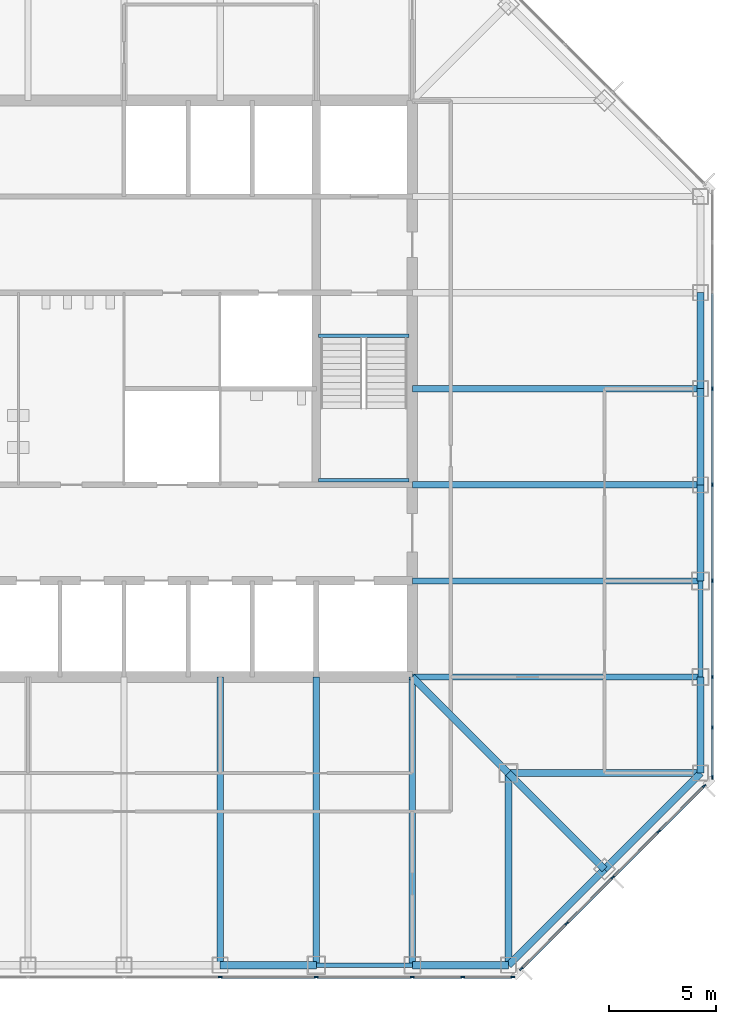
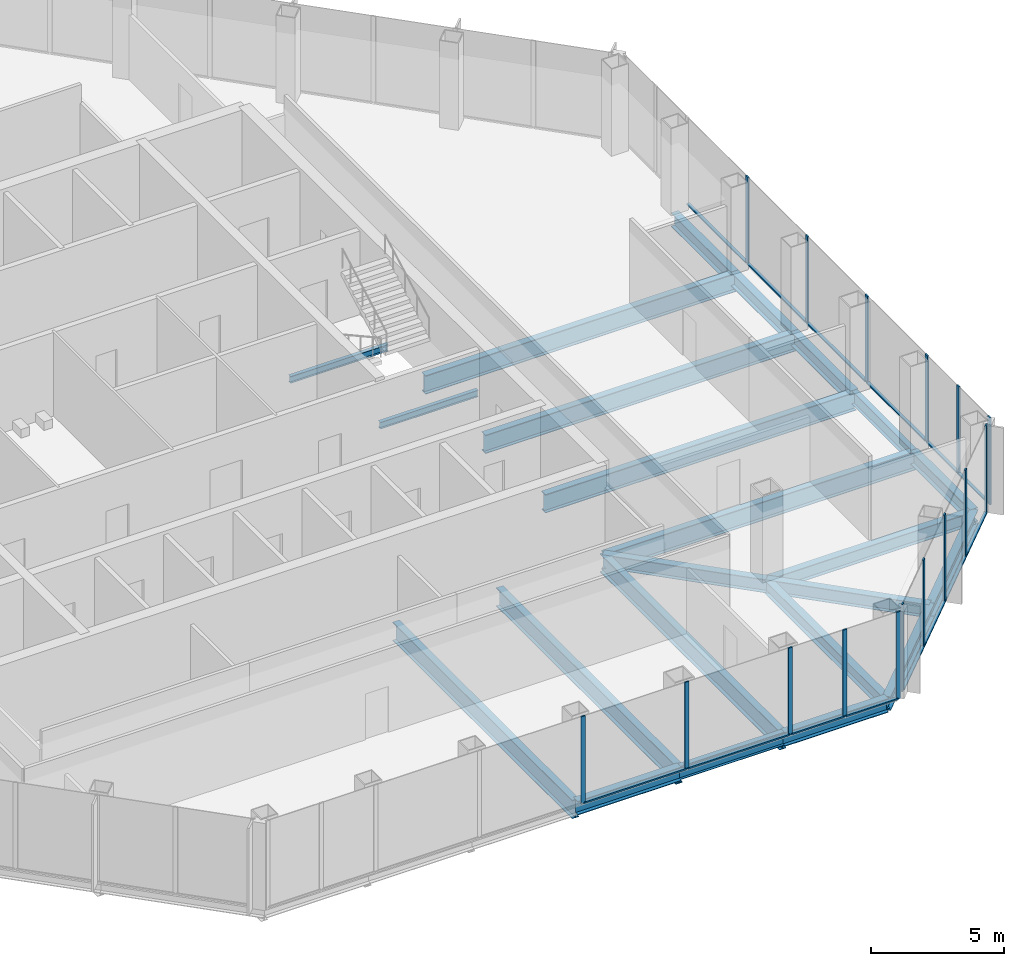
# One storey, part 4 of 12: 30 members, 23 beams, 3 elements without a shape of their own.
"""IFC4 building model written with IfcOpenShell, lengths in metres."""

from ifc_helpers import new_model, si_unit, direction, frame, origin, origin_2d, place, context, subcontext, project, spatial, rectangle, i_section, extrude, material, material_profile, profile_set, type_object, element, aggregate, save


model = new_model("IFC4")

# Units and contexts
model_context = context("Model", 3, precision=1e-05, world=origin(), true_north=direction((0.0, 1.0)))
body_context = subcontext(model_context, "Body", "Model", "MODEL_VIEW")
ifc_project = project(units=[si_unit("LENGTHUNIT", "METRE"), si_unit("AREAUNIT", "SQUARE_METRE"), si_unit("VOLUMEUNIT", "CUBIC_METRE"), si_unit("PLANEANGLEUNIT", "RADIAN"), si_unit("MASSUNIT", "GRAM", prefix="KILO")], contexts=[model_context])

# Site, building, storey
site_placement = place(None, origin())
site = spatial("IfcSite", under=ifc_project, at=site_placement, CompositionType="ELEMENT")
building_placement = place(site_placement, origin())
building = spatial("IfcBuilding", under=site, at=building_placement, Name="Corais Broadcast Tower", CompositionType="ELEMENT")
storey_placement = place(building_placement, frame((0.0, 0.0, 139.60009765625)))
storey = spatial("IfcBuildingStorey", under=building, at=storey_placement, Name="L31", CompositionType="ELEMENT", Elevation=139.60009765625)

# Beams
ifc_material_1 = material(Name="Steel ASTM A572 Grade 50", Category="steel")
ifc_material_profile_1 = material_profile(ifc_material_1, i_section(OverallWidth=0.323974609375, OverallDepth=0.611083984375, WebThickness=0.0126953125, FlangeThickness=0.01904296875, at=origin_2d()), Name="W610x155")
ifc_profile_set_1 = profile_set([ifc_material_profile_1], Name="Steel ASTM A572 Grade 50")
beam_type_1 = type_object("IfcBeamType", Name="Chamfer tie W610x155", PredefinedType="BEAM", material=ifc_profile_set_1)
beam_1_placement = place(storey_placement, frame((49.5, 4.5, -0.465576171875), z_axis=(-0.707106781187, 0.707106781187, 0.0), x_axis=(-0.707106781187, -0.707106781187, 0.0)))
element("IfcBeam", 1, at=beam_1_placement, inside=storey, type_object=beam_type_1, Name="B5 B/14 to C/13", PredefinedType="BEAM", context=body_context, shape_type="SweptSolid", body=[
    extrude(i_section(OverallWidth=0.323974609375, OverallDepth=0.611083984375, WebThickness=0.0126953125, FlangeThickness=0.01904296875, at=origin_2d()), origin(), (0.0, 0.0, 1.0), 6.364013671875),
])
ifc_material_2 = material(Name="Steel ASTM A572 Grade 50", Category="steel")
ifc_material_profile_2 = material_profile(ifc_material_2, i_section(OverallWidth=0.323974609375, OverallDepth=0.611083984375, WebThickness=0.0126953125, FlangeThickness=0.01904296875, at=origin_2d()), Name="W610x155")
ifc_profile_set_2 = profile_set([ifc_material_profile_2], Name="Steel ASTM A572 Grade 50")
beam_type_2 = type_object("IfcBeamType", Name="Corner diagonal W610x155", PredefinedType="BEAM", material=ifc_profile_set_2)
beam_2_placement = place(storey_placement, frame((45.0, 9.0, -0.465576171875), z_axis=(-0.707106781187, 0.707106781187, 0.0), x_axis=(-0.707106781187, -0.707106781187, 0.0)))
element("IfcBeam", 2, at=beam_2_placement, inside=storey, type_object=beam_type_2, Name="B6 C/13 to D/12", PredefinedType="BEAM", context=body_context, shape_type="SweptSolid", body=[
    extrude(i_section(OverallWidth=0.323974609375, OverallDepth=0.611083984375, WebThickness=0.0126953125, FlangeThickness=0.01904296875, at=origin_2d()), origin(), (0.0, 0.0, 1.0), 6.364013671875),
])
ifc_material_3 = material(Name="Steel ASTM A572 Grade 50", Category="steel")
ifc_material_profile_3 = material_profile(ifc_material_3, i_section(OverallWidth=0.323974609375, OverallDepth=0.611083984375, WebThickness=0.0126953125, FlangeThickness=0.01904296875, at=origin_2d()), Name="W610x155")
ifc_profile_set_3 = profile_set([ifc_material_profile_3], Name="Steel ASTM A572 Grade 50")
beam_type_3 = type_object("IfcBeamType", Name="Corner girder W610x155", PredefinedType="BEAM", material=ifc_profile_set_3)
for number, where, z_axis, x_axis, name in (
    (3, (45.0, 0.0, -0.465576171875), (0.0, 1.0, 0.0), (-1.0, 0.0, 0.0), "B4 A/13 to C/13"),
    (4, (54.0, 9.0, -0.465576171875), (-1.0, 0.0, 0.0), (0.0, -1.0, 0.0), "B4 C/15 to C/13"),
):
    element("IfcBeam", number, at=place(storey_placement, frame(where, z_axis=z_axis, x_axis=x_axis)), inside=storey, type_object=beam_type_3, Name=name, PredefinedType="BEAM", context=body_context, shape_type="SweptSolid", body=[
        extrude(i_section(OverallWidth=0.323974609375, OverallDepth=0.611083984375, WebThickness=0.0126953125, FlangeThickness=0.01904296875, at=origin_2d()), origin(), (0.0, 0.0, 1.0), 9.0),
    ])
ifc_material_4 = material(Name="Steel ASTM A572 Grade 50", Category="steel")
ifc_material_profile_4 = material_profile(ifc_material_4, i_section(OverallWidth=0.2939453125, OverallDepth=0.85107421875, WebThickness=0.01611328125, FlangeThickness=0.02685546875, at=origin_2d()), Name="W840x226")
ifc_profile_set_4 = profile_set([ifc_material_profile_4], Name="Steel ASTM A572 Grade 50")
beam_type_4 = type_object("IfcBeamType", Name="Floor beam W840x226", PredefinedType="BEAM", material=ifc_profile_set_4)
for number, where, z_axis, x_axis, name in (
    (5, (31.5, 0.0, -0.585693359375), (0.0, 1.0, 0.0), (-1.0, 0.0, 0.0), "B1 A/10 to D/10"),
    (6, (36.0, 0.0, -0.585693359375), (0.0, 1.0, 0.0), (-1.0, 0.0, 0.0), "B1 A/11 to D/11"),
    (7, (40.5, 0.0, -0.585693359375), (0.0, 1.0, 0.0), (-1.0, 0.0, 0.0), "B1 A/12 to D/12"),
    (8, (54.0, 13.5, -0.585693359375), (-1.0, 0.0, 0.0), (0.0, -1.0, 0.0), "B1 D/15 to D/12"),
    (9, (54.0, 18.0, -0.585693359375), (-1.0, 0.0, 0.0), (0.0, -1.0, 0.0), "B1 E/15 to E/12"),
    (10, (54.0, 22.5, -0.585693359375), (-1.0, 0.0, 0.0), (0.0, -1.0, 0.0), "B1 F/15 to F/12"),
    (11, (54.0, 27.0, -0.585693359375), (-1.0, 0.0, 0.0), (0.0, -1.0, 0.0), "B1 G/15 to G/12"),
):
    element("IfcBeam", number, at=place(storey_placement, frame(where, z_axis=z_axis, x_axis=x_axis)), inside=storey, type_object=beam_type_4, Name=name, PredefinedType="BEAM", context=body_context, shape_type="SweptSolid", body=[
        extrude(i_section(OverallWidth=0.2939453125, OverallDepth=0.85107421875, WebThickness=0.01611328125, FlangeThickness=0.02685546875, at=origin_2d()), origin(), (0.0, 0.0, 1.0), 13.5),
    ])
ifc_material_5 = material(Name="Steel ASTM A572 Grade 50", Category="steel")
ifc_material_profile_5 = material_profile(ifc_material_5, i_section(OverallWidth=0.1650390625, OverallDepth=0.31005859375, WebThickness=0.005859375, FlangeThickness=0.009765625, at=origin_2d()), Name="W310x38.7")
ifc_profile_set_5 = profile_set([ifc_material_profile_5], Name="Steel ASTM A572 Grade 50")
beam_type_5 = type_object("IfcBeamType", Name="Landing trimmer W310x38.7", PredefinedType="BEAM", material=ifc_profile_set_5)
for number, where, z_axis, x_axis, name in (
    (12, (36.10009765625, 29.47509765625, -0.35498046875), (1.0, 0.0, 0.0), (0.0, 1.0, 0.0), "LT1 stair B landing trimmer L31"),
    (13, (36.10009765625, 22.715087890625, 1.64501953125), (1.0, 0.0, 0.0), (0.0, 1.0, 0.0), "LT1 stair B half landing trimmer L31"),
):
    element("IfcBeam", number, at=place(storey_placement, frame(where, z_axis=z_axis, x_axis=x_axis)), inside=storey, type_object=beam_type_5, Name=name, PredefinedType="BEAM", context=body_context, shape_type="SweptSolid", body=[
        extrude(i_section(OverallWidth=0.1650390625, OverallDepth=0.31005859375, WebThickness=0.005859375, FlangeThickness=0.009765625, at=origin_2d()), origin(), (0.0, 0.0, 1.0), 4.25),
    ])

# Curtain wall, members
ifc_material_6 = material(Name="Aluminium and glass", Category="aluminium")
curtain_wall_type = type_object("IfcCurtainWallType", Name="Unitised fritted curtain wall CW2", PredefinedType="NOTDEFINED", material=ifc_material_6)
curtain_wall_1_placement = place(storey_placement, origin())
curtain_wall_1 = element("IfcCurtainWall", 14, at=curtain_wall_1_placement, inside=storey, type_object=curtain_wall_type, Name="CW2 curtain wall L31 6", PredefinedType="NOTDEFINED")
ifc_material_7 = material(Name="Aluminium 6063-T6", Category="aluminium")
ifc_material_profile_6 = material_profile(ifc_material_7, rectangle(XDim=0.06494140625, YDim=0.179931640625, at=origin_2d()), Name="Mullion CW2 65x180")
ifc_profile_set_6 = profile_set([ifc_material_profile_6], Name="Aluminium 6063-T6")
member_type_1 = type_object("IfcMemberType", Name="Mullion CW2 65x180", PredefinedType="MULLION", material=ifc_profile_set_6)
member_1_placement = place(storey_placement, frame((54.550048828125, 27.0, 0.0), z_axis=(0.0, 0.0, 1.0), x_axis=(1.0, 0.0, 0.0)))
member_1 = element("IfcMember", 15, at=member_1_placement, type_object=member_type_1, Name="CW2 mullion 4", PredefinedType="MULLION", context=body_context, shape_type="SweptSolid", body=[
    extrude(rectangle(XDim=0.06494140625, YDim=0.179931640625, at=origin_2d()), origin(), (0.0, 0.0, 1.0), 4.0),
])
member_2_placement = place(storey_placement, frame((54.550048828125, 22.5, 0.0), z_axis=(0.0, 0.0, 1.0), x_axis=(1.0, 0.0, 0.0)))
member_2 = element("IfcMember", 16, at=member_2_placement, type_object=member_type_1, Name="CW2 mullion 5", PredefinedType="MULLION", context=body_context, shape_type="SweptSolid", body=[
    extrude(rectangle(XDim=0.06494140625, YDim=0.179931640625, at=origin_2d()), origin(), (0.0, 0.0, 1.0), 4.0),
])
member_3_placement = place(storey_placement, frame((54.550048828125, 18.0, 0.0), z_axis=(0.0, 0.0, 1.0), x_axis=(1.0, 0.0, 0.0)))
member_3 = element("IfcMember", 17, at=member_3_placement, type_object=member_type_1, Name="CW2 mullion 6", PredefinedType="MULLION", context=body_context, shape_type="SweptSolid", body=[
    extrude(rectangle(XDim=0.06494140625, YDim=0.179931640625, at=origin_2d()), origin(), (0.0, 0.0, 1.0), 4.0),
])
member_4_placement = place(storey_placement, frame((54.550048828125, 13.5, 0.0), z_axis=(0.0, 0.0, 1.0), x_axis=(1.0, 0.0, 0.0)))
member_4 = element("IfcMember", 18, at=member_4_placement, type_object=member_type_1, Name="CW2 mullion 7", PredefinedType="MULLION", context=body_context, shape_type="SweptSolid", body=[
    extrude(rectangle(XDim=0.06494140625, YDim=0.179931640625, at=origin_2d()), origin(), (0.0, 0.0, 1.0), 4.0),
])
member_5_placement = place(storey_placement, frame((54.550048828125, 11.135986328125, 0.0), z_axis=(0.0, 0.0, 1.0), x_axis=(1.0, 0.0, 0.0)))
member_5 = element("IfcMember", 19, at=member_5_placement, type_object=member_type_1, Name="CW2 mullion 8", PredefinedType="MULLION", context=body_context, shape_type="SweptSolid", body=[
    extrude(rectangle(XDim=0.06494140625, YDim=0.179931640625, at=origin_2d()), origin(), (0.0, 0.0, 1.0), 4.0),
])
member_6_placement = place(storey_placement, frame((54.550048828125, 8.8046875, 0.0), z_axis=(0.0, 0.0, 1.0), x_axis=(1.0, 0.0, 0.0)))
member_6 = element("IfcMember", 20, at=member_6_placement, type_object=member_type_1, Name="CW2 mullion 9", PredefinedType="MULLION", context=body_context, shape_type="SweptSolid", body=[
    extrude(rectangle(XDim=0.06494140625, YDim=0.179931640625, at=origin_2d()), origin(), (0.0, 0.0, 1.0), 4.0),
])

curtain_wall_2_placement = place(storey_placement, origin())
curtain_wall_2 = element("IfcCurtainWall", 21, at=curtain_wall_2_placement, inside=storey, type_object=curtain_wall_type, Name="CW2 curtain wall L31 7", PredefinedType="NOTDEFINED")
member_7_placement = place(storey_placement, frame((54.17333984375, 8.3955078125, 0.0), z_axis=(0.0, 0.0, 1.0), x_axis=(0.707106781187, -0.707106781187, 0.0)))
member_7 = element("IfcMember", 22, at=member_7_placement, type_object=member_type_1, Name="CW2 mullion 1", PredefinedType="MULLION", context=body_context, shape_type="SweptSolid", body=[
    extrude(rectangle(XDim=0.06494140625, YDim=0.179931640625, at=origin_2d()), origin(), (0.0, 0.0, 1.0), 4.0),
])
member_8_placement = place(storey_placement, frame((52.042724609375, 6.264892578125, 0.0), z_axis=(0.0, 0.0, 1.0), x_axis=(0.707106781187, -0.707106781187, 0.0)))
member_8 = element("IfcMember", 23, at=member_8_placement, type_object=member_type_1, Name="CW2 mullion 2", PredefinedType="MULLION", context=body_context, shape_type="SweptSolid", body=[
    extrude(rectangle(XDim=0.06494140625, YDim=0.179931640625, at=origin_2d()), origin(), (0.0, 0.0, 1.0), 4.0),
])
member_9_placement = place(storey_placement, frame((49.888916015625, 4.111083984375, 0.0), z_axis=(0.0, 0.0, 1.0), x_axis=(0.707106781187, -0.707106781187, 0.0)))
member_9 = element("IfcMember", 24, at=member_9_placement, type_object=member_type_1, Name="CW2 mullion 3", PredefinedType="MULLION", context=body_context, shape_type="SweptSolid", body=[
    extrude(rectangle(XDim=0.06494140625, YDim=0.179931640625, at=origin_2d()), origin(), (0.0, 0.0, 1.0), 4.0),
])
member_10_placement = place(storey_placement, frame((47.735107421875, 1.957275390625, 0.0), z_axis=(0.0, 0.0, 1.0), x_axis=(0.707106781187, -0.707106781187, 0.0)))
member_10 = element("IfcMember", 25, at=member_10_placement, type_object=member_type_1, Name="CW2 mullion 4", PredefinedType="MULLION", context=body_context, shape_type="SweptSolid", body=[
    extrude(rectangle(XDim=0.06494140625, YDim=0.179931640625, at=origin_2d()), origin(), (0.0, 0.0, 1.0), 4.0),
])
member_11_placement = place(storey_placement, frame((45.6044921875, -0.17333984375, 0.0), z_axis=(0.0, 0.0, 1.0), x_axis=(0.707106781187, -0.707106781187, 0.0)))
member_11 = element("IfcMember", 26, at=member_11_placement, type_object=member_type_1, Name="CW2 mullion 5", PredefinedType="MULLION", context=body_context, shape_type="SweptSolid", body=[
    extrude(rectangle(XDim=0.06494140625, YDim=0.179931640625, at=origin_2d()), origin(), (0.0, 0.0, 1.0), 4.0),
])

curtain_wall_3_placement = place(storey_placement, origin())
curtain_wall_3 = element("IfcCurtainWall", 27, at=curtain_wall_3_placement, inside=storey, type_object=curtain_wall_type, Name="CW2 curtain wall L31 8", PredefinedType="NOTDEFINED")
member_12_placement = place(storey_placement, frame((45.1953125, -0.550048828125, 0.0), z_axis=(0.0, 0.0, 1.0), x_axis=(0.0, -1.0, 0.0)))
member_12 = element("IfcMember", 28, at=member_12_placement, type_object=member_type_1, Name="CW2 mullion 1", PredefinedType="MULLION", context=body_context, shape_type="SweptSolid", body=[
    extrude(rectangle(XDim=0.06494140625, YDim=0.179931640625, at=origin_2d()), origin(), (0.0, 0.0, 1.0), 4.0),
])
member_13_placement = place(storey_placement, frame((42.864013671875, -0.550048828125, 0.0), z_axis=(0.0, 0.0, 1.0), x_axis=(0.0, -1.0, 0.0)))
member_13 = element("IfcMember", 29, at=member_13_placement, type_object=member_type_1, Name="CW2 mullion 2", PredefinedType="MULLION", context=body_context, shape_type="SweptSolid", body=[
    extrude(rectangle(XDim=0.06494140625, YDim=0.179931640625, at=origin_2d()), origin(), (0.0, 0.0, 1.0), 4.0),
])
member_14_placement = place(storey_placement, frame((40.5, -0.550048828125, 0.0), z_axis=(0.0, 0.0, 1.0), x_axis=(0.0, -1.0, 0.0)))
member_14 = element("IfcMember", 30, at=member_14_placement, type_object=member_type_1, Name="CW2 mullion 3", PredefinedType="MULLION", context=body_context, shape_type="SweptSolid", body=[
    extrude(rectangle(XDim=0.06494140625, YDim=0.179931640625, at=origin_2d()), origin(), (0.0, 0.0, 1.0), 4.0),
])
member_15_placement = place(storey_placement, frame((36.0, -0.550048828125, 0.0), z_axis=(0.0, 0.0, 1.0), x_axis=(0.0, -1.0, 0.0)))
member_15 = element("IfcMember", 31, at=member_15_placement, type_object=member_type_1, Name="CW2 mullion 4", PredefinedType="MULLION", context=body_context, shape_type="SweptSolid", body=[
    extrude(rectangle(XDim=0.06494140625, YDim=0.179931640625, at=origin_2d()), origin(), (0.0, 0.0, 1.0), 4.0),
])
member_16_placement = place(storey_placement, frame((31.5, -0.550048828125, 0.0), z_axis=(0.0, 0.0, 1.0), x_axis=(0.0, -1.0, 0.0)))
member_16 = element("IfcMember", 32, at=member_16_placement, type_object=member_type_1, Name="CW2 mullion 5", PredefinedType="MULLION", context=body_context, shape_type="SweptSolid", body=[
    extrude(rectangle(XDim=0.06494140625, YDim=0.179931640625, at=origin_2d()), origin(), (0.0, 0.0, 1.0), 4.0),
])

# Beams
ifc_material_8 = material(Name="Steel ASTM A572 Grade 50", Category="steel")
ifc_material_profile_7 = material_profile(ifc_material_8, i_section(OverallWidth=0.22900390625, OverallDepth=0.612060546875, WebThickness=0.011962890625, FlangeThickness=0.01953125, at=origin_2d()), Name="W610x125")
ifc_profile_set_7 = profile_set([ifc_material_profile_7], Name="Steel ASTM A572 Grade 50")
beam_type_6 = type_object("IfcBeamType", Name="Pinned spandrel W610x125", PredefinedType="BEAM", material=ifc_profile_set_7)
for number, where, z_axis, x_axis, name in (
    (33, (36.0, 0.0, -0.466064453125), (1.0, 0.0, 0.0), (0.0, 1.0, 0.0), "SB7 A/11 to A/12"),
    (34, (54.0, 13.5, -0.466064453125), (0.0, 1.0, 0.0), (-1.0, 0.0, 0.0), "SB7 D/15 to E/15"),
):
    element("IfcBeam", number, at=place(storey_placement, frame(where, z_axis=z_axis, x_axis=x_axis)), inside=storey, type_object=beam_type_6, Name=name, PredefinedType="BEAM", context=body_context, shape_type="SweptSolid", body=[
        extrude(i_section(OverallWidth=0.22900390625, OverallDepth=0.612060546875, WebThickness=0.011962890625, FlangeThickness=0.01953125, at=origin_2d()), origin(), (0.0, 0.0, 1.0), 4.5),
    ])
ifc_material_9 = material(Name="Steel ASTM A572 Grade 50", Category="steel")
ifc_material_profile_8 = material_profile(ifc_material_9, i_section(OverallWidth=0.3291015625, OverallDepth=0.635009765625, WebThickness=0.017822265625, FlangeThickness=0.031005859375, at=origin_2d()), Name="W610x241")
ifc_profile_set_8 = profile_set([ifc_material_profile_8], Name="Steel ASTM A572 Grade 50")
beam_type_7 = type_object("IfcBeamType", Name="Spandrel W610x241", PredefinedType="BEAM", material=ifc_profile_set_8)
for number, where, z_axis, x_axis, name in (
    (35, (31.5, 0.0, -0.4775390625), (1.0, 0.0, 0.0), (0.0, 1.0, 0.0), "SB1 A/10 to A/11"),
    (36, (40.5, 0.0, -0.4775390625), (1.0, 0.0, 0.0), (0.0, 1.0, 0.0), "SB1 A/12 to A/13"),
):
    element("IfcBeam", number, at=place(storey_placement, frame(where, z_axis=z_axis, x_axis=x_axis)), inside=storey, type_object=beam_type_7, Name=name, PredefinedType="BEAM", context=body_context, shape_type="SweptSolid", body=[
        extrude(i_section(OverallWidth=0.3291015625, OverallDepth=0.635009765625, WebThickness=0.017822265625, FlangeThickness=0.031005859375, at=origin_2d()), origin(), (0.0, 0.0, 1.0), 4.5),
    ])
for number, where, z_axis, x_axis, name in (
    (37, (45.0, 0.0, -0.4775390625), (0.707106781187, 0.707106781187, 0.0), (-0.707106781187, 0.707106781187, 0.0), "SB1 A/13 to B/14"),
    (38, (49.5, 4.5, -0.4775390625), (0.707106781187, 0.707106781187, 0.0), (-0.707106781187, 0.707106781187, 0.0), "SB1 B/14 to C/15"),
):
    element("IfcBeam", number, at=place(storey_placement, frame(where, z_axis=z_axis, x_axis=x_axis)), inside=storey, type_object=beam_type_7, Name=name, PredefinedType="BEAM", context=body_context, shape_type="SweptSolid", body=[
        extrude(i_section(OverallWidth=0.3291015625, OverallDepth=0.635009765625, WebThickness=0.017822265625, FlangeThickness=0.031005859375, at=origin_2d()), origin(), (0.0, 0.0, 1.0), 6.364013671875),
    ])
for number, where, z_axis, x_axis, name in (
    (39, (54.0, 18.0, -0.4775390625), (0.0, 1.0, 0.0), (-1.0, 0.0, 0.0), "SB1 E/15 to F/15"),
    (40, (54.0, 22.5, -0.4775390625), (0.0, 1.0, 0.0), (-1.0, 0.0, 0.0), "SB1 F/15 to G/15"),
    (41, (54.0, 27.0, -0.4775390625), (0.0, 1.0, 0.0), (-1.0, 0.0, 0.0), "SB1 G/15 to H/15"),
    (42, (54.0, 9.0, -0.4775390625), (0.0, 1.0, 0.0), (-1.0, 0.0, 0.0), "SB1 C/15 to D/15"),
):
    element("IfcBeam", number, at=place(storey_placement, frame(where, z_axis=z_axis, x_axis=x_axis)), inside=storey, type_object=beam_type_7, Name=name, PredefinedType="BEAM", context=body_context, shape_type="SweptSolid", body=[
        extrude(i_section(OverallWidth=0.3291015625, OverallDepth=0.635009765625, WebThickness=0.017822265625, FlangeThickness=0.031005859375, at=origin_2d()), origin(), (0.0, 0.0, 1.0), 4.5),
    ])

# Member
ifc_material_10 = material(Name="Aluminium 6063-T6", Category="aluminium")
ifc_material_profile_9 = material_profile(ifc_material_10, rectangle(XDim=0.1298828125, YDim=0.06494140625, at=origin_2d()), Name="Transom CW2 65x130")
ifc_profile_set_9 = profile_set([ifc_material_profile_9], Name="Aluminium 6063-T6")
member_type_2 = type_object("IfcMemberType", Name="Transom CW2 65x130", PredefinedType="USERDEFINED", material=ifc_profile_set_9)
member_17_placement = place(storey_placement, frame((54.550048828125, 31.467529296875, 0.032470703125), z_axis=(0.0, -1.0, 0.0), x_axis=(1.0, 0.0, 0.0)))
member_17 = element("IfcMember", 43, at=member_17_placement, type_object=member_type_2, Name="CW2 transom 3.1", ObjectType="TRANSOM", PredefinedType="USERDEFINED", context=body_context, shape_type="SweptSolid", body=[
    extrude(rectangle(XDim=0.1298828125, YDim=0.06494140625, at=origin_2d()), origin(), (0.0, 0.0, 1.0), 4.43505859375),
])

member_18_placement = place(storey_placement, frame((54.550048828125, 26.967529296875, 0.032470703125), z_axis=(0.0, -1.0, 0.0), x_axis=(1.0, 0.0, 0.0)))
member_18 = element("IfcMember", 44, at=member_18_placement, type_object=member_type_2, Name="CW2 transom 4.1", ObjectType="TRANSOM", PredefinedType="USERDEFINED", context=body_context, shape_type="SweptSolid", body=[
    extrude(rectangle(XDim=0.1298828125, YDim=0.06494140625, at=origin_2d()), origin(), (0.0, 0.0, 1.0), 4.43505859375),
])

member_19_placement = place(storey_placement, frame((54.550048828125, 22.467529296875, 0.032470703125), z_axis=(0.0, -1.0, 0.0), x_axis=(1.0, 0.0, 0.0)))
member_19 = element("IfcMember", 45, at=member_19_placement, type_object=member_type_2, Name="CW2 transom 5.1", ObjectType="TRANSOM", PredefinedType="USERDEFINED", context=body_context, shape_type="SweptSolid", body=[
    extrude(rectangle(XDim=0.1298828125, YDim=0.06494140625, at=origin_2d()), origin(), (0.0, 0.0, 1.0), 4.43505859375),
])

member_20_placement = place(storey_placement, frame((54.550048828125, 17.967529296875, 0.032470703125), z_axis=(0.0, -1.0, 0.0), x_axis=(1.0, 0.0, 0.0)))
member_20 = element("IfcMember", 46, at=member_20_placement, type_object=member_type_2, Name="CW2 transom 6.1", ObjectType="TRANSOM", PredefinedType="USERDEFINED", context=body_context, shape_type="SweptSolid", body=[
    extrude(rectangle(XDim=0.1298828125, YDim=0.06494140625, at=origin_2d()), origin(), (0.0, 0.0, 1.0), 4.43505859375),
])

member_21_placement = place(storey_placement, frame((54.550048828125, 13.467529296875, 0.032470703125), z_axis=(0.0, -1.0, 0.0), x_axis=(1.0, 0.0, 0.0)))
member_21 = element("IfcMember", 47, at=member_21_placement, type_object=member_type_2, Name="CW2 transom 7.1", ObjectType="TRANSOM", PredefinedType="USERDEFINED", context=body_context, shape_type="SweptSolid", body=[
    extrude(rectangle(XDim=0.1298828125, YDim=0.06494140625, at=origin_2d()), origin(), (0.0, 0.0, 1.0), 2.298828125),
])

member_22_placement = place(storey_placement, frame((54.550048828125, 11.103515625, 0.032470703125), z_axis=(0.0, -1.0, 0.0), x_axis=(1.0, 0.0, 0.0)))
member_22 = element("IfcMember", 48, at=member_22_placement, type_object=member_type_2, Name="CW2 transom 8.1", ObjectType="TRANSOM", PredefinedType="USERDEFINED", context=body_context, shape_type="SweptSolid", body=[
    extrude(rectangle(XDim=0.1298828125, YDim=0.06494140625, at=origin_2d()), origin(), (0.0, 0.0, 1.0), 2.266357421875),
])

aggregate(curtain_wall_1, [member_1, member_2, member_3, member_4, member_5, member_6, member_17, member_18, member_19, member_20, member_21, member_22])

member_23_placement = place(storey_placement, frame((54.150390625, 8.37255859375, 0.032470703125), z_axis=(-0.707106781187, -0.707106781187, 0.0), x_axis=(0.707106781187, -0.707106781187, 0.0)))
member_23 = element("IfcMember", 49, at=member_23_placement, type_object=member_type_2, Name="CW2 transom 1.1", ObjectType="TRANSOM", PredefinedType="USERDEFINED", context=body_context, shape_type="SweptSolid", body=[
    extrude(rectangle(XDim=0.1298828125, YDim=0.06494140625, at=origin_2d()), origin(), (0.0, 0.0, 1.0), 2.9482421875),
])

member_24_placement = place(storey_placement, frame((52.019775390625, 6.241943359375, 0.032470703125), z_axis=(-0.707106781187, -0.707106781187, 0.0), x_axis=(0.707106781187, -0.707106781187, 0.0)))
member_24 = element("IfcMember", 50, at=member_24_placement, type_object=member_type_2, Name="CW2 transom 2.1", ObjectType="TRANSOM", PredefinedType="USERDEFINED", context=body_context, shape_type="SweptSolid", body=[
    extrude(rectangle(XDim=0.1298828125, YDim=0.06494140625, at=origin_2d()), origin(), (0.0, 0.0, 1.0), 2.98095703125),
])

member_25_placement = place(storey_placement, frame((49.865966796875, 4.088134765625, 0.032470703125), z_axis=(-0.707106781187, -0.707106781187, 0.0), x_axis=(0.707106781187, -0.707106781187, 0.0)))
member_25 = element("IfcMember", 51, at=member_25_placement, type_object=member_type_2, Name="CW2 transom 3.1", ObjectType="TRANSOM", PredefinedType="USERDEFINED", context=body_context, shape_type="SweptSolid", body=[
    extrude(rectangle(XDim=0.1298828125, YDim=0.06494140625, at=origin_2d()), origin(), (0.0, 0.0, 1.0), 2.98095703125),
])

member_26_placement = place(storey_placement, frame((47.712158203125, 1.934326171875, 0.032470703125), z_axis=(-0.707106781187, -0.707106781187, 0.0), x_axis=(0.707106781187, -0.707106781187, 0.0)))
member_26 = element("IfcMember", 52, at=member_26_placement, type_object=member_type_2, Name="CW2 transom 4.1", ObjectType="TRANSOM", PredefinedType="USERDEFINED", context=body_context, shape_type="SweptSolid", body=[
    extrude(rectangle(XDim=0.1298828125, YDim=0.06494140625, at=origin_2d()), origin(), (0.0, 0.0, 1.0), 2.9482421875),
])

aggregate(curtain_wall_2, [member_7, member_8, member_9, member_10, member_11, member_23, member_24, member_25, member_26])

member_27_placement = place(storey_placement, frame((45.162841796875, -0.550048828125, 0.032470703125), z_axis=(-1.0, 0.0, 0.0), x_axis=(0.0, -1.0, 0.0)))
member_27 = element("IfcMember", 53, at=member_27_placement, type_object=member_type_2, Name="CW2 transom 1.1", ObjectType="TRANSOM", PredefinedType="USERDEFINED", context=body_context, shape_type="SweptSolid", body=[
    extrude(rectangle(XDim=0.1298828125, YDim=0.06494140625, at=origin_2d()), origin(), (0.0, 0.0, 1.0), 2.266357421875),
])

member_28_placement = place(storey_placement, frame((42.831298828125, -0.550048828125, 0.032470703125), z_axis=(-1.0, 0.0, 0.0), x_axis=(0.0, -1.0, 0.0)))
member_28 = element("IfcMember", 54, at=member_28_placement, type_object=member_type_2, Name="CW2 transom 2.1", ObjectType="TRANSOM", PredefinedType="USERDEFINED", context=body_context, shape_type="SweptSolid", body=[
    extrude(rectangle(XDim=0.1298828125, YDim=0.06494140625, at=origin_2d()), origin(), (0.0, 0.0, 1.0), 2.298828125),
])

member_29_placement = place(storey_placement, frame((40.467529296875, -0.550048828125, 0.032470703125), z_axis=(-1.0, 0.0, 0.0), x_axis=(0.0, -1.0, 0.0)))
member_29 = element("IfcMember", 55, at=member_29_placement, type_object=member_type_2, Name="CW2 transom 3.1", ObjectType="TRANSOM", PredefinedType="USERDEFINED", context=body_context, shape_type="SweptSolid", body=[
    extrude(rectangle(XDim=0.1298828125, YDim=0.06494140625, at=origin_2d()), origin(), (0.0, 0.0, 1.0), 4.43505859375),
])

member_30_placement = place(storey_placement, frame((35.967529296875, -0.550048828125, 0.032470703125), z_axis=(-1.0, 0.0, 0.0), x_axis=(0.0, -1.0, 0.0)))
member_30 = element("IfcMember", 56, at=member_30_placement, type_object=member_type_2, Name="CW2 transom 4.1", ObjectType="TRANSOM", PredefinedType="USERDEFINED", context=body_context, shape_type="SweptSolid", body=[
    extrude(rectangle(XDim=0.1298828125, YDim=0.06494140625, at=origin_2d()), origin(), (0.0, 0.0, 1.0), 4.43505859375),
])

aggregate(curtain_wall_3, [member_12, member_13, member_14, member_15, member_16, member_27, member_28, member_29, member_30])

save(model, "model.ifc")
